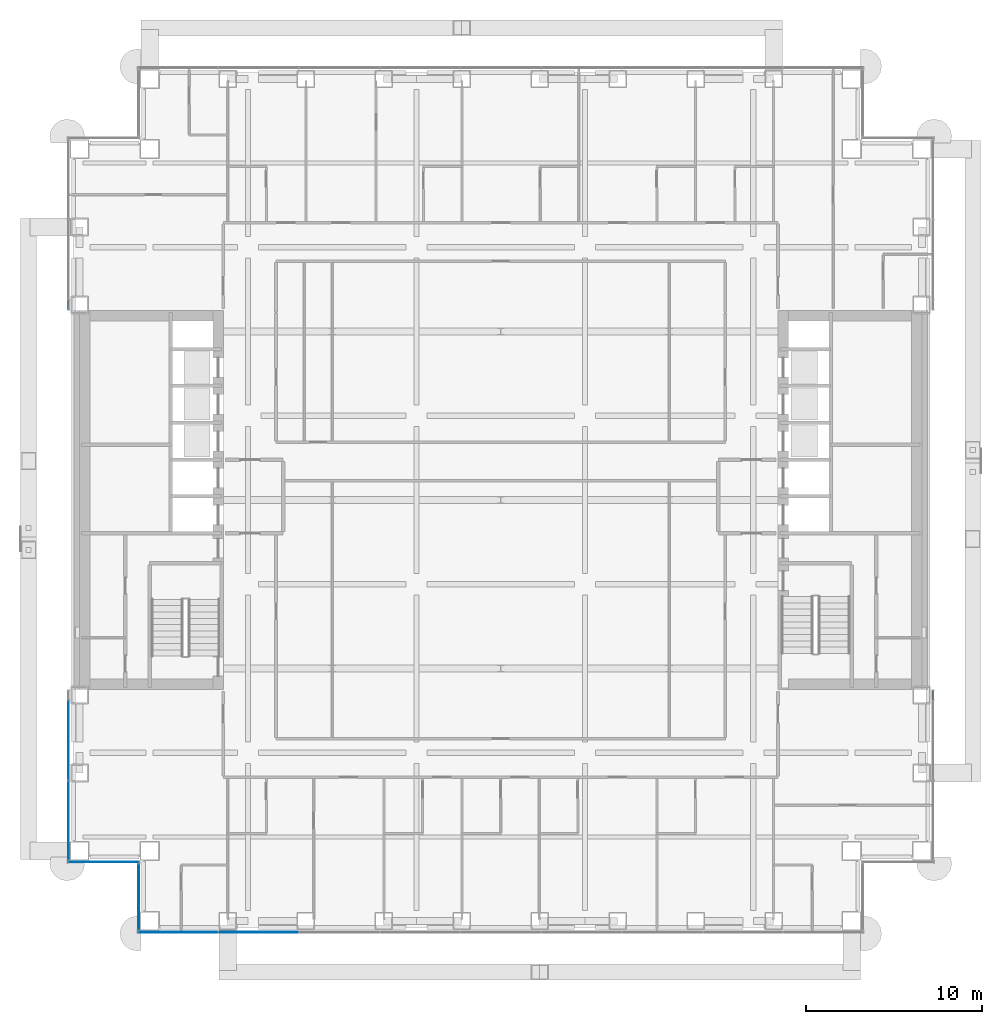
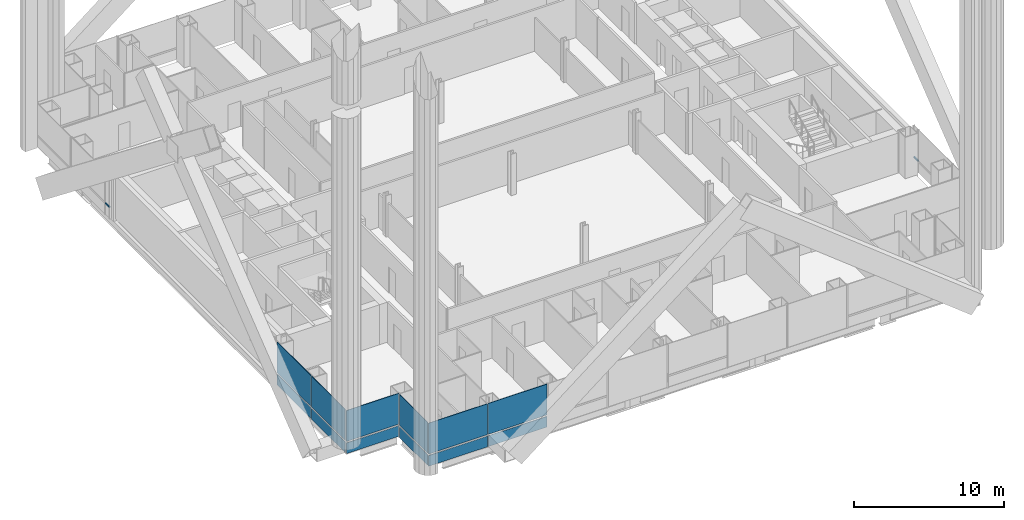
# One storey, part 13 of 28: 12 plates, 2 members, 6 elements without a shape of their own.
"""IFC4 building model written with IfcOpenShell, lengths in metres."""

from ifc_helpers import new_model, si_unit, direction, frame, origin, origin_2d, place, context, subcontext, project, spatial, rectangle, extrude, material, layer, layer_set, material_profile, profile_set, type_object, element, aggregate, save


model = new_model("IFC4")

# Units and contexts
model_context = context("Model", 3, precision=1e-05, world=origin(), true_north=direction((0.0, 1.0)))
body_context = subcontext(model_context, "Body", "Model", "MODEL_VIEW")
ifc_project = project(units=[si_unit("LENGTHUNIT", "METRE"), si_unit("AREAUNIT", "SQUARE_METRE"), si_unit("VOLUMEUNIT", "CUBIC_METRE"), si_unit("PLANEANGLEUNIT", "RADIAN"), si_unit("MASSUNIT", "GRAM", prefix="KILO")], contexts=[model_context])

# Site, building, storey
site_placement = place(None, origin())
site = spatial("IfcSite", under=ifc_project, at=site_placement, CompositionType="ELEMENT")
building_placement = place(site_placement, origin())
building = spatial("IfcBuilding", under=site, at=building_placement, Name="Cobrizo Arcos Hotel Tower", CompositionType="ELEMENT")
storey_placement = place(building_placement, frame((0.0, 0.0, 39.0)))
storey = spatial("IfcBuildingStorey", under=building, at=storey_placement, Name="L07", CompositionType="ELEMENT", Elevation=39.0)

# Curtain wall, member
ifc_material_1 = material(Name="Aluminium 6063-T6 anodised bronze", Category="aluminium")
curtain_wall_type = type_object("IfcCurtainWallType", Name="CW-A guest facade", PredefinedType="NOTDEFINED", material=ifc_material_1)
curtain_wall_1_placement = place(storey_placement, origin())
curtain_wall_1 = element("IfcCurtainWall", 1, at=curtain_wall_1_placement, inside=storey, type_object=curtain_wall_type, Name="CW-A L07 E face", PredefinedType="NOTDEFINED")
ifc_material_profile = material_profile(ifc_material_1, rectangle(XDim=0.10009765625, YDim=0.1201171875, at=origin_2d()), Name="CW-A transom 120x100")
ifc_profile_set = profile_set([ifc_material_profile], Name="Aluminium 6063-T6 anodised bronze")
member_type = type_object("IfcMemberType", Name="CW-A transom 120x100", PredefinedType="USERDEFINED", material=ifc_profile_set)
member_1_placement = place(storey_placement, frame((24.625, -11.38671875, 0.929931640625), z_axis=(0.0, 1.0, 0.0), x_axis=(-1.0, 0.0, 0.0)))
member_1 = element("IfcMember", 2, at=member_1_placement, type_object=member_type, Name="CW-A transom 374", ObjectType="TRANSOM", PredefinedType="USERDEFINED", context=body_context, shape_type="SweptSolid", body=[
    extrude(rectangle(XDim=0.10009765625, YDim=0.1201171875, at=origin_2d()), origin(), (0.0, 0.0, 1.0), 0.526611328125),
])
aggregate(curtain_wall_1, [member_1])

curtain_wall_2_placement = place(storey_placement, origin())
curtain_wall_2 = element("IfcCurtainWall", 3, at=curtain_wall_2_placement, inside=storey, type_object=curtain_wall_type, Name="CW-A L07 W face", PredefinedType="NOTDEFINED")
member_2_placement = place(storey_placement, frame((-24.625, 11.38671875, 0.929931640625), z_axis=(0.0, -1.0, 0.0), x_axis=(1.0, 0.0, 0.0)))
member_2 = element("IfcMember", 4, at=member_2_placement, type_object=member_type, Name="CW-A transom 393", ObjectType="TRANSOM", PredefinedType="USERDEFINED", context=body_context, shape_type="SweptSolid", body=[
    extrude(rectangle(XDim=0.10009765625, YDim=0.1201171875, at=origin_2d()), origin(), (0.0, 0.0, 1.0), 0.526611328125),
])
aggregate(curtain_wall_2, [member_2])

# Curtain wall, plates
curtain_wall_3_placement = place(storey_placement, origin())
curtain_wall_3 = element("IfcCurtainWall", 5, at=curtain_wall_3_placement, inside=storey, type_object=curtain_wall_type, Name="CW-A L07 S face", PredefinedType="NOTDEFINED")
ifc_material_2 = material(Name="Glass clear laminated low-e", Category="glass")
ifc_layer_1 = layer(ifc_material_2, 0.0400390625)
ifc_layer_set_1 = layer_set([ifc_layer_1], Name="CW-A glass panel")
plate_type_1 = type_object("IfcPlateType", Name="CW-A glass panel", PredefinedType="CURTAIN_PANEL", material=ifc_layer_set_1)
plate_1_placement = place(storey_placement, frame((-18.385009765625, -24.625, 0.990234375), z_axis=(0.0, 0.0, 1.0), x_axis=(1.0, 0.0, 0.0)))
plate_1 = element("IfcPlate", 6, at=plate_1_placement, type_object=plate_type_1, Name="CW-A glass panel 361", PredefinedType="CURTAIN_PANEL", context=body_context, shape_type="SweptSolid", body=[
    extrude(rectangle(XDim=4.510009765625, YDim=0.0400390625, at=origin_2d()), origin(), (0.0, 0.0, 1.0), 2.510009765625),
])
plate_2_placement = place(storey_placement, frame((-13.800048828125, -24.625, 0.990234375), z_axis=(0.0, 0.0, 1.0), x_axis=(1.0, 0.0, 0.0)))
plate_2 = element("IfcPlate", 7, at=plate_2_placement, type_object=plate_type_1, Name="CW-A glass panel 362", PredefinedType="CURTAIN_PANEL", context=body_context, shape_type="SweptSolid", body=[
    extrude(rectangle(XDim=4.5400390625, YDim=0.0400390625, at=origin_2d()), origin(), (0.0, 0.0, 1.0), 2.510009765625),
])

curtain_wall_4_placement = place(storey_placement, origin())
curtain_wall_4 = element("IfcCurtainWall", 8, at=curtain_wall_4_placement, inside=storey, type_object=curtain_wall_type, Name="CW-A L07 W face", PredefinedType="NOTDEFINED")
plate_3_placement = place(storey_placement, frame((-24.625, -13.699951171875, 0.990234375), z_axis=(0.0, 0.0, 1.0), x_axis=(0.0, -1.0, 0.0)))
plate_3 = element("IfcPlate", 9, at=plate_3_placement, type_object=plate_type_1, Name="CW-A glass panel 395", PredefinedType="CURTAIN_PANEL", context=body_context, shape_type="SweptSolid", body=[
    extrude(rectangle(XDim=4.506591796875, YDim=0.0400390625, at=origin_2d()), origin(), (0.0, 0.0, 1.0), 2.510009765625),
])
plate_4_placement = place(storey_placement, frame((-24.625, -18.251708984375, 0.990234375), z_axis=(0.0, 0.0, 1.0), x_axis=(0.0, -1.0, 0.0)))
plate_4 = element("IfcPlate", 10, at=plate_4_placement, type_object=plate_type_1, Name="CW-A glass panel 396", PredefinedType="CURTAIN_PANEL", context=body_context, shape_type="SweptSolid", body=[
    extrude(rectangle(XDim=4.4765625, YDim=0.0400390625, at=origin_2d()), origin(), (0.0, 0.0, 1.0), 2.510009765625),
])

# Curtain wall, plate
curtain_wall_5_placement = place(storey_placement, origin())
curtain_wall_5 = element("IfcCurtainWall", 11, at=curtain_wall_5_placement, inside=storey, type_object=curtain_wall_type, Name="CW-A L07 S face", PredefinedType="NOTDEFINED")
plate_5_placement = place(storey_placement, frame((-22.625, -20.625, 0.990234375), z_axis=(0.0, 0.0, 1.0), x_axis=(1.0, 0.0, 0.0)))
plate_5 = element("IfcPlate", 12, at=plate_5_placement, type_object=plate_type_1, Name="CW-A glass panel 397", PredefinedType="CURTAIN_PANEL", context=body_context, shape_type="SweptSolid", body=[
    extrude(rectangle(XDim=4.030029296875, YDim=0.0400390625, at=origin_2d()), origin(), (0.0, 0.0, 1.0), 2.510009765625),
])

curtain_wall_6_placement = place(storey_placement, origin())
curtain_wall_6 = element("IfcCurtainWall", 13, at=curtain_wall_6_placement, inside=storey, type_object=curtain_wall_type, Name="CW-A L07 W face", PredefinedType="NOTDEFINED")
plate_6_placement = place(storey_placement, frame((-20.625, -22.625, 0.990234375), z_axis=(0.0, 0.0, 1.0), x_axis=(0.0, -1.0, 0.0)))
plate_6 = element("IfcPlate", 14, at=plate_6_placement, type_object=plate_type_1, Name="CW-A glass panel 398", PredefinedType="CURTAIN_PANEL", context=body_context, shape_type="SweptSolid", body=[
    extrude(rectangle(XDim=3.72998046875, YDim=0.0400390625, at=origin_2d()), origin(), (0.0, 0.0, 1.0), 2.510009765625),
])

# Plate
ifc_material_3 = material(Name="Aluminium composite panel pale metal", Category="aluminium")
ifc_layer_2 = layer(ifc_material_3, 0.0400390625)
ifc_layer_set_2 = layer_set([ifc_layer_2], Name="CW-A spandrel panel")
plate_type_2 = type_object("IfcPlateType", Name="CW-A spandrel panel", PredefinedType="CURTAIN_PANEL", material=ifc_layer_set_2)
plate_7_placement = place(storey_placement, frame((-18.385009765625, -24.625, 0.0), z_axis=(0.0, 0.0, 1.0), x_axis=(1.0, 0.0, 0.0)))
plate_7 = element("IfcPlate", 15, at=plate_7_placement, type_object=plate_type_2, Name="CW-A spandrel panel 361", PredefinedType="CURTAIN_PANEL", context=body_context, shape_type="SweptSolid", body=[
    extrude(rectangle(XDim=4.510009765625, YDim=0.0400390625, at=origin_2d()), origin(), (0.0, 0.0, 1.0), 0.8701171875),
])

plate_8_placement = place(storey_placement, frame((-13.800048828125, -24.625, 0.0), z_axis=(0.0, 0.0, 1.0), x_axis=(1.0, 0.0, 0.0)))
plate_8 = element("IfcPlate", 16, at=plate_8_placement, type_object=plate_type_2, Name="CW-A spandrel panel 362", PredefinedType="CURTAIN_PANEL", context=body_context, shape_type="SweptSolid", body=[
    extrude(rectangle(XDim=4.5400390625, YDim=0.0400390625, at=origin_2d()), origin(), (0.0, 0.0, 1.0), 0.8701171875),
])

aggregate(curtain_wall_3, [plate_7, plate_1, plate_8, plate_2])

plate_9_placement = place(storey_placement, frame((-24.625, -13.699951171875, 0.0), z_axis=(0.0, 0.0, 1.0), x_axis=(0.0, -1.0, 0.0)))
plate_9 = element("IfcPlate", 17, at=plate_9_placement, type_object=plate_type_2, Name="CW-A spandrel panel 395", PredefinedType="CURTAIN_PANEL", context=body_context, shape_type="SweptSolid", body=[
    extrude(rectangle(XDim=4.506591796875, YDim=0.0400390625, at=origin_2d()), origin(), (0.0, 0.0, 1.0), 0.8701171875),
])

plate_10_placement = place(storey_placement, frame((-24.625, -18.251708984375, 0.0), z_axis=(0.0, 0.0, 1.0), x_axis=(0.0, -1.0, 0.0)))
plate_10 = element("IfcPlate", 18, at=plate_10_placement, type_object=plate_type_2, Name="CW-A spandrel panel 396", PredefinedType="CURTAIN_PANEL", context=body_context, shape_type="SweptSolid", body=[
    extrude(rectangle(XDim=4.4765625, YDim=0.0400390625, at=origin_2d()), origin(), (0.0, 0.0, 1.0), 0.8701171875),
])

aggregate(curtain_wall_4, [plate_9, plate_3, plate_10, plate_4])

plate_11_placement = place(storey_placement, frame((-22.625, -20.625, 0.0), z_axis=(0.0, 0.0, 1.0), x_axis=(1.0, 0.0, 0.0)))
plate_11 = element("IfcPlate", 19, at=plate_11_placement, type_object=plate_type_2, Name="CW-A spandrel panel 397", PredefinedType="CURTAIN_PANEL", context=body_context, shape_type="SweptSolid", body=[
    extrude(rectangle(XDim=4.030029296875, YDim=0.0400390625, at=origin_2d()), origin(), (0.0, 0.0, 1.0), 0.8701171875),
])

aggregate(curtain_wall_5, [plate_11, plate_5])

plate_12_placement = place(storey_placement, frame((-20.625, -22.625, 0.0), z_axis=(0.0, 0.0, 1.0), x_axis=(0.0, -1.0, 0.0)))
plate_12 = element("IfcPlate", 20, at=plate_12_placement, type_object=plate_type_2, Name="CW-A spandrel panel 398", PredefinedType="CURTAIN_PANEL", context=body_context, shape_type="SweptSolid", body=[
    extrude(rectangle(XDim=3.72998046875, YDim=0.0400390625, at=origin_2d()), origin(), (0.0, 0.0, 1.0), 0.8701171875),
])

aggregate(curtain_wall_6, [plate_12, plate_6])

save(model, "model.ifc")
